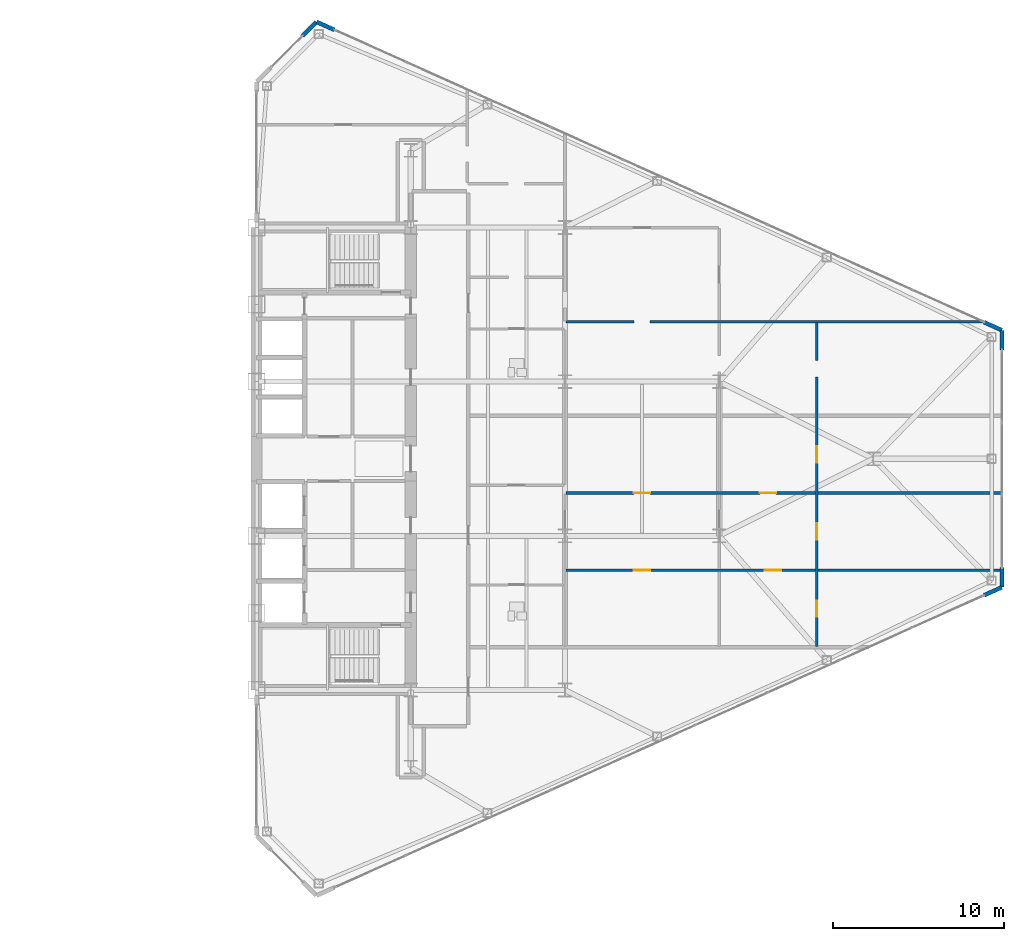
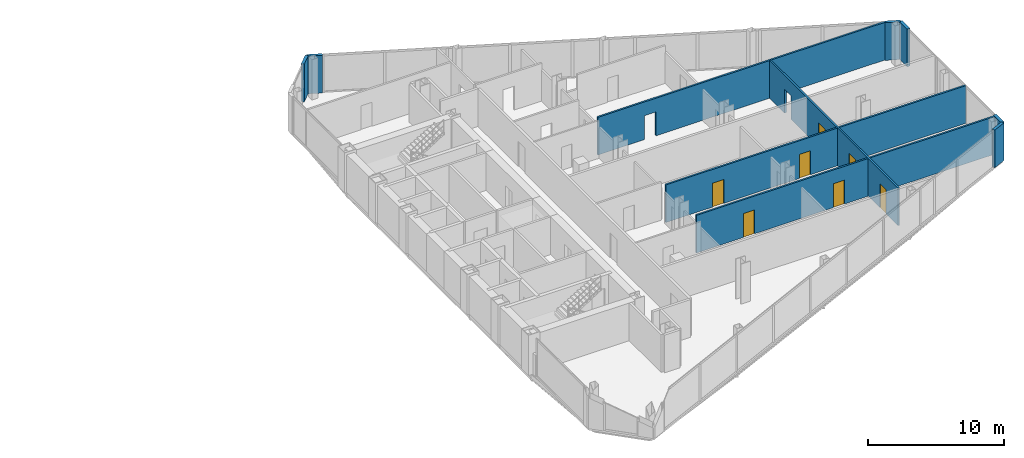
# One storey, part 24 of 27: 10 walls, 7 doors, 9 openings.
"""IFC4 building model written with IfcOpenShell, lengths in metres."""

from ifc_helpers import new_model, si_unit, direction, frame, frame_2d, origin, place, context, subcontext, project, spatial, rectangle, extrude, source, transform, mapped, material, layer, layer_set, type_object, type_shapes, element, fill, save


model = new_model("IFC4")

# Units and contexts
model_context = context("Model", 3, precision=1e-05, world=origin(), true_north=direction((0.0, 1.0)))
body_context = subcontext(model_context, "Body", "Model", "MODEL_VIEW")
ifc_project = project(units=[si_unit("LENGTHUNIT", "METRE"), si_unit("AREAUNIT", "SQUARE_METRE"), si_unit("VOLUMEUNIT", "CUBIC_METRE"), si_unit("PLANEANGLEUNIT", "RADIAN"), si_unit("MASSUNIT", "GRAM", prefix="KILO")], contexts=[model_context])

# Site, building, storey
site_placement = place(None, origin())
site = spatial("IfcSite", under=ifc_project, at=site_placement, CompositionType="ELEMENT")
building_placement = place(site_placement, origin())
building = spatial("IfcBuilding", under=site, at=building_placement, Name="Seokmaru Belvedere", CompositionType="ELEMENT")
storey_placement = place(building_placement, frame((0.0, 0.0, 106.800048828125)))
storey = spatial("IfcBuildingStorey", under=building, at=storey_placement, Name="L28", CompositionType="ELEMENT", Elevation=106.800048828125)

# Wall, openings, doors
ifc_material_1 = material(Name="Fire-Rated Gypsum Shaftwall")
ifc_layer_1 = layer(ifc_material_1, 0.14990234375)
ifc_layer_set_1 = layer_set([ifc_layer_1], Name="Fire-Rated Gypsum Shaftwall")
wall_type_1 = type_object("IfcWallType", Name="Apartment Fire-Acoustic Room Partition 150", PredefinedType="PARTITIONING", material=ifc_layer_set_1)
wall_1_placement = place(storey_placement, frame((45.550048828125, -6.5, 0.0), z_axis=(0.0, 0.0, 1.0), x_axis=(1.0, 0.0, 0.0)))
wall_1 = element("IfcWall", 1, at=wall_1_placement, inside=storey, type_object=wall_type_1, Name="L28 Interior Partition 013", PredefinedType="PARTITIONING", context=body_context, shape_type="SweptSolid", body=[
    extrude(rectangle(XDim=25.324951171875, YDim=0.14990234375, at=frame_2d((12.66259765625, 0.0))), origin(), (0.0, 0.0, 1.0), 3.3798828125),
])
opening_1_placement = place(wall_1_placement, frame((3.97509765625, 0.0, 0.0)))
opening_1 = element("IfcOpeningElement", 2, at=opening_1_placement, cuts=wall_1, Name="Opening D05", PredefinedType="OPENING", context=body_context, shape_type="SweptSolid", body=[
    extrude(rectangle(XDim=0.949951171875, YDim=2.14990234375, at=frame_2d((0.47509765625, 1.074951171875))), frame((0.0, 0.0849609375, 0.0), z_axis=(0.0, -1.0, 0.0), x_axis=(1.0, 0.0, 0.0)), (0.0, 0.0, 1.0), 0.169921875),
])
opening_2_placement = place(wall_1_placement, frame((11.61669921875, 0.0, 0.0)))
opening_2 = element("IfcOpeningElement", 3, at=opening_2_placement, cuts=wall_1, Name="Opening D05", PredefinedType="OPENING", context=body_context, shape_type="SweptSolid", body=[
    extrude(rectangle(XDim=0.949951171875, YDim=2.14990234375, at=frame_2d((0.47509765625, 1.074951171875))), frame((0.0, 0.0849609375, 0.0), z_axis=(0.0, -1.0, 0.0), x_axis=(1.0, 0.0, 0.0)), (0.0, 0.0, 1.0), 0.169921875),
])
ifc_material_2 = material(Name="Engineered White Oak Timber", Category="wood")
door_type = type_object("IfcDoorType", Name="Apartment Interior Fire-Rated Oak Door 950x2150", OperationType="NOTDEFINED", PredefinedType="DOOR", material=ifc_material_2)
shared_shape = source(origin(), body_context, "Body", "SweptSolid", [
    extrude(rectangle(XDim=0.949951171875, YDim=2.14990234375, at=frame_2d((0.47509765625, 1.074951171875))), frame((0.0, 0.02490234375, 0.0), z_axis=(0.0, -1.0, 0.0), x_axis=(1.0, 0.0, 0.0)), (0.0, 0.0, 1.0), 0.050048828125),
])
type_shapes(door_type, [shared_shape])
door_1_placement = place(opening_1_placement, origin())
door_1 = element("IfcDoor", 4, at=door_1_placement, inside=storey, type_object=door_type, Name="L28 Interior Door 042", OperationType="SINGLE_SWING_LEFT", OverallHeight=2.14990234375, OverallWidth=0.949951171875, PredefinedType="DOOR", context=body_context, shape_type="MappedRepresentation", body=[
    mapped(shared_shape, transform((0.0, 0.0, 0.0), scale=1.0)),
])
fill(opening_1, door_1)
door_2_placement = place(opening_2_placement, origin())
door_2 = element("IfcDoor", 5, at=door_2_placement, inside=storey, type_object=door_type, Name="L28 Interior Door 044", OperationType="SINGLE_SWING_RIGHT", OverallHeight=2.14990234375, OverallWidth=0.949951171875, PredefinedType="DOOR", context=body_context, shape_type="MappedRepresentation", body=[
    mapped(shared_shape, transform((0.0, 0.0, 0.0), scale=1.0)),
])
fill(opening_2, door_2)

wall_2_placement = place(storey_placement, frame((45.550048828125, -2.0, 0.0), z_axis=(0.0, 0.0, 1.0), x_axis=(1.0, 0.0, 0.0)))
wall_2 = element("IfcWall", 6, at=wall_2_placement, inside=storey, type_object=wall_type_1, Name="L28 Interior Partition 015", PredefinedType="PARTITIONING", context=body_context, shape_type="SweptSolid", body=[
    extrude(rectangle(XDim=25.48486328125, YDim=0.14990234375, at=frame_2d((12.742431640625, 0.0))), origin(), (0.0, 0.0, 1.0), 3.3798828125),
])
opening_3_placement = place(wall_2_placement, frame((3.97509765625, 0.0, 0.0)))
opening_3 = element("IfcOpeningElement", 7, at=opening_3_placement, cuts=wall_2, Name="Opening D05", PredefinedType="OPENING", context=body_context, shape_type="SweptSolid", body=[
    extrude(rectangle(XDim=0.949951171875, YDim=2.14990234375, at=frame_2d((0.47509765625, 1.074951171875))), frame((0.0, 0.0849609375, 0.0), z_axis=(0.0, -1.0, 0.0), x_axis=(1.0, 0.0, 0.0)), (0.0, 0.0, 1.0), 0.169921875),
])
opening_4_placement = place(wall_2_placement, frame((11.324951171875, 0.0, 0.0)))
opening_4 = element("IfcOpeningElement", 8, at=opening_4_placement, cuts=wall_2, Name="Opening D05", PredefinedType="OPENING", context=body_context, shape_type="SweptSolid", body=[
    extrude(rectangle(XDim=0.949951171875, YDim=2.14990234375, at=frame_2d((0.47509765625, 1.074951171875))), frame((0.0, 0.0849609375, 0.0), z_axis=(0.0, -1.0, 0.0), x_axis=(1.0, 0.0, 0.0)), (0.0, 0.0, 1.0), 0.169921875),
])
door_3_placement = place(opening_3_placement, origin())
door_3 = element("IfcDoor", 9, at=door_3_placement, inside=storey, type_object=door_type, Name="L28 Interior Door 043", OperationType="SINGLE_SWING_RIGHT", OverallHeight=2.14990234375, OverallWidth=0.949951171875, PredefinedType="DOOR", context=body_context, shape_type="MappedRepresentation", body=[
    mapped(shared_shape, transform((0.0, 0.0, 0.0), scale=1.0)),
])
fill(opening_3, door_3)
door_4_placement = place(opening_4_placement, origin())
door_4 = element("IfcDoor", 10, at=door_4_placement, inside=storey, type_object=door_type, Name="L28 Interior Door 047", OperationType="SINGLE_SWING_RIGHT", OverallHeight=2.14990234375, OverallWidth=0.949951171875, PredefinedType="DOOR", context=body_context, shape_type="MappedRepresentation", body=[
    mapped(shared_shape, transform((0.0, 0.0, 0.0), scale=1.0)),
])
fill(opening_4, door_4)

# Wall, opening
wall_3_placement = place(storey_placement, frame((45.550048828125, 7.989990234375, 0.0), z_axis=(0.0, 0.0, 1.0), x_axis=(1.0, 0.0, 0.0)))
wall_3 = element("IfcWall", 11, at=wall_3_placement, inside=storey, type_object=wall_type_1, Name="L28 Interior Partition 023", PredefinedType="PARTITIONING", context=body_context, shape_type="SweptSolid", body=[
    extrude(rectangle(XDim=24.391845703125, YDim=0.14990234375, at=frame_2d((12.19580078125, 0.0))), origin(), (0.0, 0.0, 1.0), 3.3798828125),
])
opening_5_placement = place(wall_3_placement, frame((3.97509765625, 0.0, 0.0)))
element("IfcOpeningElement", 12, at=opening_5_placement, cuts=wall_3, Name="L28 Cased Opening 054", PredefinedType="OPENING", context=body_context, shape_type="SweptSolid", body=[
    extrude(rectangle(XDim=0.949951171875, YDim=2.14990234375, at=frame_2d((0.47509765625, 1.074951171875))), frame((0.0, 0.0849609375, 0.0), z_axis=(0.0, -1.0, 0.0), x_axis=(1.0, 0.0, 0.0)), (0.0, 0.0, 1.0), 0.169921875),
])

# Wall, openings, doors
wall_4_placement = place(storey_placement, frame((60.199951171875, -10.949951171875, 0.0), z_axis=(0.0, 0.0, 1.0), x_axis=(0.0, 1.0, 0.0)))
wall_4 = element("IfcWall", 13, at=wall_4_placement, inside=storey, type_object=wall_type_1, Name="L28 Interior Partition 065", PredefinedType="PARTITIONING", context=body_context, shape_type="SweptSolid", body=[
    extrude(rectangle(XDim=18.891845703125, YDim=0.14990234375, at=frame_2d((9.44580078125, 0.0))), origin(), (0.0, 0.0, 1.0), 3.3798828125),
])
opening_6_placement = place(wall_4_placement, frame((1.72509765625, 0.0, 0.0)))
opening_6 = element("IfcOpeningElement", 14, at=opening_6_placement, cuts=wall_4, Name="Opening D05", PredefinedType="OPENING", context=body_context, shape_type="SweptSolid", body=[
    extrude(rectangle(XDim=0.949951171875, YDim=2.14990234375, at=frame_2d((0.47509765625, 1.074951171875))), frame((0.0, 0.0849609375, 0.0), z_axis=(0.0, -1.0, 0.0), x_axis=(1.0, 0.0, 0.0)), (0.0, 0.0, 1.0), 0.169921875),
])
opening_7_placement = place(wall_4_placement, frame((6.22509765625, 0.0, 0.0)))
opening_7 = element("IfcOpeningElement", 15, at=opening_7_placement, cuts=wall_4, Name="Opening D05", PredefinedType="OPENING", context=body_context, shape_type="SweptSolid", body=[
    extrude(rectangle(XDim=0.949951171875, YDim=2.14990234375, at=frame_2d((0.47509765625, 1.074951171875))), frame((0.0, 0.0849609375, 0.0), z_axis=(0.0, -1.0, 0.0), x_axis=(1.0, 0.0, 0.0)), (0.0, 0.0, 1.0), 0.169921875),
])
opening_8_placement = place(wall_4_placement, frame((10.72509765625, 0.0, 0.0)))
opening_8 = element("IfcOpeningElement", 16, at=opening_8_placement, cuts=wall_4, Name="Opening D05", PredefinedType="OPENING", context=body_context, shape_type="SweptSolid", body=[
    extrude(rectangle(XDim=0.949951171875, YDim=2.14990234375, at=frame_2d((0.47509765625, 1.074951171875))), frame((0.0, 0.0849609375, 0.0), z_axis=(0.0, -1.0, 0.0), x_axis=(1.0, 0.0, 0.0)), (0.0, 0.0, 1.0), 0.169921875),
])
opening_9_placement = place(wall_4_placement, frame((15.720947265625, 0.0, 0.0)))
element("IfcOpeningElement", 17, at=opening_9_placement, cuts=wall_4, Name="L28 Cased Opening 057", PredefinedType="OPENING", context=body_context, shape_type="SweptSolid", body=[
    extrude(rectangle(XDim=0.949951171875, YDim=2.14990234375, at=frame_2d((0.47509765625, 1.074951171875))), frame((0.0, 0.0849609375, 0.0), z_axis=(0.0, -1.0, 0.0), x_axis=(1.0, 0.0, 0.0)), (0.0, 0.0, 1.0), 0.169921875),
])
door_5_placement = place(opening_6_placement, origin())
door_5 = element("IfcDoor", 18, at=door_5_placement, inside=storey, type_object=door_type, Name="L28 Interior Door 045", OperationType="SINGLE_SWING_LEFT", OverallHeight=2.14990234375, OverallWidth=0.949951171875, PredefinedType="DOOR", context=body_context, shape_type="MappedRepresentation", body=[
    mapped(shared_shape, transform((0.0, 0.0, 0.0), scale=1.0)),
])
fill(opening_6, door_5)
door_6_placement = place(opening_7_placement, origin())
door_6 = element("IfcDoor", 19, at=door_6_placement, inside=storey, type_object=door_type, Name="L28 Interior Door 046", OperationType="SINGLE_SWING_LEFT", OverallHeight=2.14990234375, OverallWidth=0.949951171875, PredefinedType="DOOR", context=body_context, shape_type="MappedRepresentation", body=[
    mapped(shared_shape, transform((0.0, 0.0, 0.0), scale=1.0)),
])
fill(opening_7, door_6)
door_7_placement = place(opening_8_placement, origin())
door_7 = element("IfcDoor", 20, at=door_7_placement, inside=storey, type_object=door_type, Name="L28 Interior Door 048", OperationType="SINGLE_SWING_LEFT", OverallHeight=2.14990234375, OverallWidth=0.949951171875, PredefinedType="DOOR", context=body_context, shape_type="MappedRepresentation", body=[
    mapped(shared_shape, transform((0.0, 0.0, 0.0), scale=1.0)),
])
fill(opening_8, door_7)

# Walls
ifc_material_3 = material(Name="Anodised Bronze Aluminium", Category="aluminium")
ifc_layer_2 = layer(ifc_material_3, 0.239990234375)
ifc_layer_set_2 = layer_set([ifc_layer_2], Name="Anodised Bronze Aluminium")
wall_type_2 = type_object("IfcWallType", Name="Tower Corner Spandrel Closure Wall 240", PredefinedType="SOLIDWALL", material=ifc_layer_set_2)
for number, where, z_axis, x_axis, name in (
    (21, (69.951416015625, -7.971923828125, 0.0), (0.0, 0.0, 1.0), (0.911929519623, 0.410346866979, 0.0), "L28 E Corner Closure Pier 1B"),
    (22, (71.0, -7.489990234375, 0.0), (0.0, 0.0, 1.0), (0.0, 1.0, 0.0), "L28 E Corner Closure Pier 2A"),
    (23, (71.0, 6.35009765625, 0.0), (0.0, 0.0, 1.0), (0.0, 1.0, 0.0), "L28 E Corner Closure Pier 2B"),
    (24, (70.990966796875, 7.504150390625, 0.0), (0.0, 0.0, 1.0), (-0.911929519623, 0.410346866979, 0.0), "L28 E Corner Closure Pier 3A"),
    (25, (32.048583984375, 25.028076171875, 0.0), (0.0, 0.0, 1.0), (-0.911929519623, 0.410346866979, 0.0), "L28 E Corner Closure Pier 3B"),
):
    element("IfcWall", number, at=place(storey_placement, frame(where, z_axis=z_axis, x_axis=x_axis)), inside=storey, type_object=wall_type_2, Name=name, PredefinedType="SOLIDWALL", context=body_context, shape_type="SweptSolid", body=[
        extrude(rectangle(XDim=1.139892578125, YDim=0.239990234375, at=frame_2d((0.56982421875, 0.0))), origin(), (0.0, 0.0, 1.0), 3.3798828125),
    ])
wall_5_placement = place(storey_placement, frame((30.992919921875, 25.492919921875, 0.0), z_axis=(0.0, 0.0, 1.0), x_axis=(-0.707106781187, -0.707106781187, 0.0)))
element("IfcWall", 26, at=wall_5_placement, inside=storey, type_object=wall_type_2, Name="L28 E Corner Closure Pier 4A", PredefinedType="SOLIDWALL", context=body_context, shape_type="SweptSolid", body=[
    extrude(rectangle(XDim=1.14013671875, YDim=0.239990234375, at=frame_2d((0.570068359375, 0.0))), origin(), (0.0, 0.0, 1.0), 3.3798828125),
])

save(model, "model.ifc")
